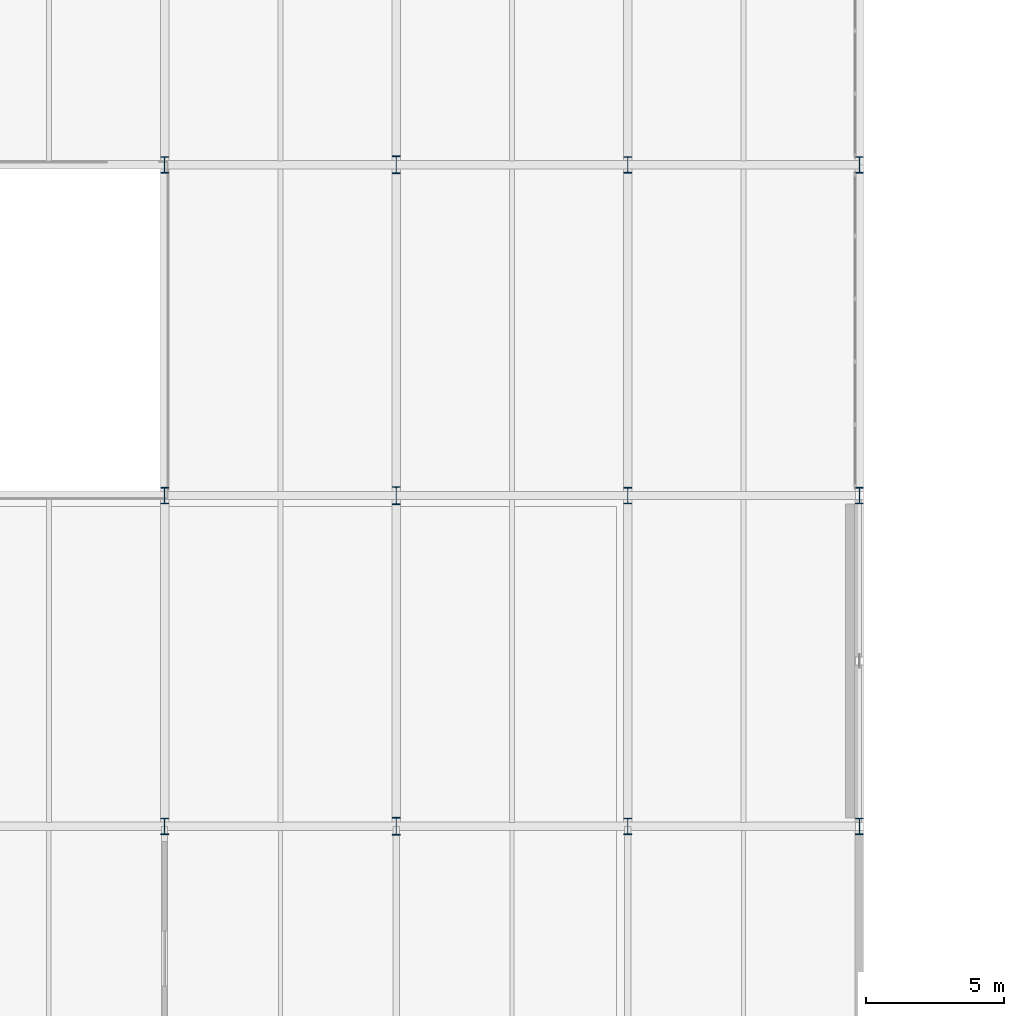
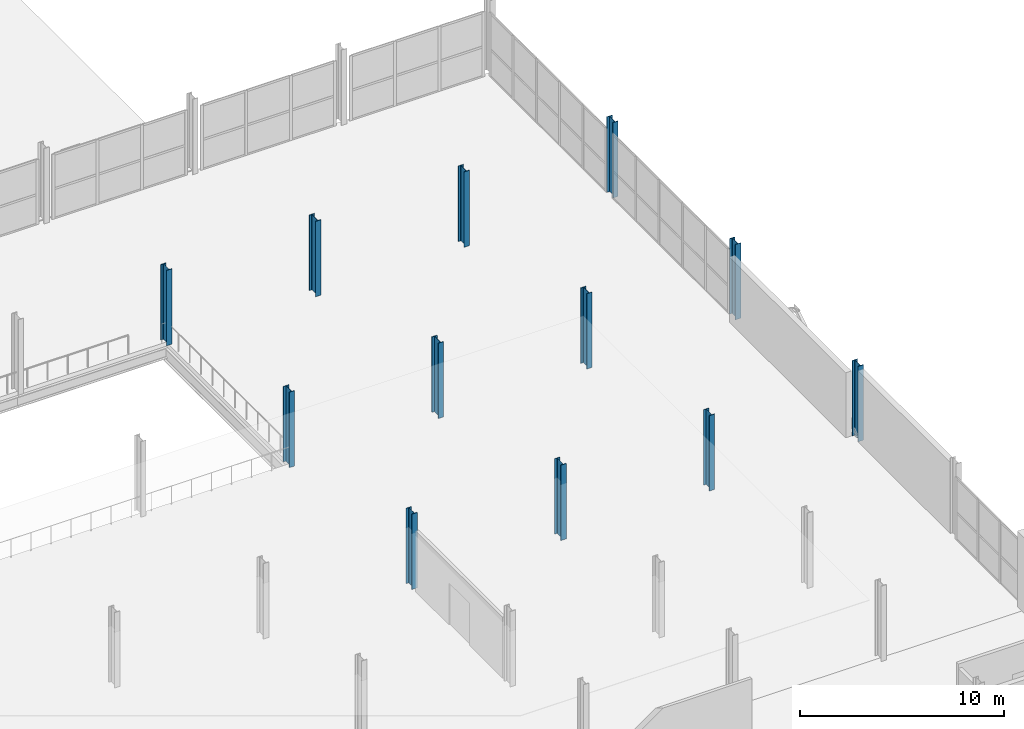
# One storey, part 6 of 130: 12 columns.
"""IFC4 building model written with IfcOpenShell, lengths in metres."""

import ifcopenshell
import ifcopenshell.guid

model = None  # the IFC model being written
_history = None  # IfcOwnerHistory: only IFC2X3 demands one
_inside = {}  # id of a spatial element -> (the spatial element, [elements in it])
_under = {}  # id of a project, library or spatial element -> (it, [spatial elements below it])
_declared = {}  # id of a project -> (the project, [libraries it declares])
_typed = {}  # id of a type object -> (the type object, [elements of that type])
_made_of = {}  # id of a material, layer set ... -> (it, [elements and type objects made of it])


def new_model(schema):
    """Start an empty IFC model of exactly this schema.

    Asked for "IFC4X3", IfcOpenShell would pick the latest addendum, in which some entities
    have other attributes; the version numbers below select the first issue.
    IFC2X3 requires an IfcOwnerHistory on every rooted entity: one is made here for all.
    """
    global model, _history
    if schema == "IFC4X3":
        model = ifcopenshell.file(schema_version=(4, 3, 0, 0))
    else:
        model = ifcopenshell.file(schema=schema)
    _inside.clear()
    _under.clear()
    _declared.clear()
    _typed.clear()
    _made_of.clear()
    _history = None
    if model.schema == "IFC2X3":
        org = make("IfcOrganization", Name="unknown")
        user = make(
            "IfcPersonAndOrganization",
            ThePerson=make("IfcPerson", FamilyName="unknown"),
            TheOrganization=org,
        )
        app = make(
            "IfcApplication",
            ApplicationDeveloper=org,
            Version="unknown",
            ApplicationFullName="unknown",
            ApplicationIdentifier="unknown",
        )
        _history = make(
            "IfcOwnerHistory",
            OwningUser=user,
            OwningApplication=app,
            ChangeAction="ADDED",
            CreationDate=0,
        )
    return model


def make(cls, **values):
    """One entity of the class cls with the attributes given. An attribute that is None is left unset."""
    return model.create_entity(
        cls, **{name: value for name, value in values.items() if value is not None}
    )


def rooted(cls, **values):
    """An entity with a GlobalId (a new one), such as an element, a storey or a relation."""
    return make(cls, GlobalId=ifcopenshell.guid.new(), OwnerHistory=_history, **values)


def si_unit(unit_type, name, prefix=None):
    """IfcSIUnit, for example si_unit("LENGTHUNIT", "METRE", prefix="MILLI")."""
    return make("IfcSIUnit", UnitType=unit_type, Prefix=prefix, Name=name)


def assignment(units):
    """IfcUnitAssignment: the units of a project."""
    return None if units is None else make("IfcUnitAssignment", Units=units)


def point(xyz):
    """IfcCartesianPoint."""
    return None if xyz is None else make("IfcCartesianPoint", Coordinates=xyz)


def direction(xyz):
    """IfcDirection."""
    return None if xyz is None else make("IfcDirection", DirectionRatios=xyz)


def frame(location, z_axis=None, x_axis=None):
    """IfcAxis2Placement3D, a coordinate frame: its origin and axes. An axis left out is left unset."""
    return make(
        "IfcAxis2Placement3D",
        Location=point(location),
        Axis=direction(z_axis),
        RefDirection=direction(x_axis),
    )


def frame_2d(location, x_axis=None):
    """IfcAxis2Placement2D, a coordinate frame in the plane: its origin and x axis."""
    return make(
        "IfcAxis2Placement2D", Location=point(location), RefDirection=direction(x_axis)
    )


def origin():
    """The frame at (0, 0, 0) with its axes left unset."""
    return frame((0.0, 0.0, 0.0))


def origin_2d():
    """The frame at (0, 0) in the plane with its x axis left unset."""
    return frame_2d((0.0, 0.0))


def place(relative_to, where):
    """IfcLocalPlacement: puts the frame where relative to a parent placement (None: the world)."""
    return make(
        "IfcLocalPlacement", PlacementRelTo=relative_to, RelativePlacement=where
    )


def context(
    kind, dimensions, precision=None, world=None, true_north=None, identifier=None
):
    """IfcGeometricRepresentationContext, for example the 3D "Model" context."""
    return make(
        "IfcGeometricRepresentationContext",
        ContextIdentifier=identifier,
        ContextType=kind,
        CoordinateSpaceDimension=dimensions,
        Precision=precision,
        WorldCoordinateSystem=world,
        TrueNorth=true_north,
    )


def subcontext(parent, identifier, kind, view, scale=None):
    """IfcGeometricRepresentationSubContext, for example "Body" below "Model"."""
    return make(
        "IfcGeometricRepresentationSubContext",
        ContextIdentifier=identifier,
        ContextType=kind,
        ParentContext=parent,
        TargetScale=scale,
        TargetView=view,
    )


def project(units=None, contexts=None):
    """IfcProject with its units and contexts."""
    return rooted(
        "IfcProject",
        Name="project",
        RepresentationContexts=contexts,
        UnitsInContext=assignment(units),
    )


def spatial(cls, under=None, at=None, **own):
    """A site, building, storey or space (cls), placed at a placement, below another one or the project."""
    s = rooted(cls, ObjectPlacement=at, **own)
    if under is not None:
        _under.setdefault(under.id(), (under, []))[1].append(s)
    return s


def profile(cls, at=None, kind="AREA", **sizes):
    """A parametric profile (cls). Its sizes go by their IFC names, for example OverallWidth=200.0."""
    return make(cls, ProfileType=kind, Position=at, **sizes)


def i_section(**sizes):
    """IfcIShapeProfileDef."""
    return profile("IfcIShapeProfileDef", **sizes)


def extrude(swept, where, along, depth):
    """IfcExtrudedAreaSolid: the profile swept, set in the frame where, extruded along a direction by depth."""
    return make(
        "IfcExtrudedAreaSolid",
        SweptArea=swept,
        Position=where,
        ExtrudedDirection=direction(along),
        Depth=depth,
    )


def shape(context_of_items, identifier, shape_type, items):
    """IfcShapeRepresentation: the items that make up one representation, for example the "Body"."""
    return make(
        "IfcShapeRepresentation",
        ContextOfItems=context_of_items,
        RepresentationIdentifier=identifier,
        RepresentationType=shape_type,
        Items=items,
    )


def material(Name=None, Category=None):
    """IfcMaterial."""
    return make("IfcMaterial", Name=Name, Category=Category)


def material_profile(
    of_material, cross_section, Name=None, Category=None, Priority=None
):
    """IfcMaterialProfile: a cross section and its material."""
    return make(
        "IfcMaterialProfile",
        Name=Name,
        Material=of_material,
        Profile=cross_section,
        Priority=Priority,
        Category=Category,
    )


def profile_set(profiles, Name=None, composite=None):
    """IfcMaterialProfileSet."""
    return make(
        "IfcMaterialProfileSet",
        Name=Name,
        MaterialProfiles=profiles,
        CompositeProfile=composite,
    )


def made_of(thing, what):
    """Note that an element or type object is made of a material, layer set ...; save() writes the relation."""
    if what is not None:
        _made_of.setdefault(what.id(), (what, []))[1].append(thing)
    return thing


def type_object(cls, material=None, **own):
    """A type object (cls), such as IfcWallType, which elements share."""
    return made_of(rooted(cls, **own), material)


def element(
    cls,
    number,
    at=None,
    inside=None,
    cuts=None,
    type_object=None,
    material=None,
    context=None,
    identifier="Body",
    shape_type=None,
    held_by="IfcProductDefinitionShape",
    body=None,
    shapes=None,
    **own,
):
    """One element of the class cls, such as IfcWall. Its Tag is "e" and its number.

    at: its placement. inside: the storey or other place that contains it. cuts: it is an
    opening in that element (IfcRelVoidsElement). A single representation is given by context,
    identifier, shape_type and body (its items); several are given by shapes. held_by: the class
    of the entity that holds the representations. save() writes the other relations.
    """
    e = rooted(cls, Tag="e%d" % number, ObjectPlacement=at, **own)
    if body is not None:
        shapes = [shape(context, identifier, shape_type, body)]
    if shapes is not None:
        e.Representation = make(held_by, Representations=shapes)
    if inside is not None:
        _inside.setdefault(inside.id(), (inside, []))[1].append(e)
    if cuts is not None:
        rooted(
            "IfcRelVoidsElement", RelatingBuildingElement=cuts, RelatedOpeningElement=e
        )
    if type_object is not None:
        _typed.setdefault(type_object.id(), (type_object, []))[1].append(e)
    return made_of(e, material)


def aggregate(whole, parts):
    """IfcRelAggregates: a whole, such as a stair, and the parts it consists of."""
    return rooted("IfcRelAggregates", RelatingObject=whole, RelatedObjects=parts)


def save(model, path):
    """Write the relations noted so far, then the file.

    IfcRelAggregates (storeys below a building ...), IfcRelContainedInSpatialStructure (elements
    in a storey), IfcRelDefinesByType, IfcRelAssociatesMaterial and IfcRelDeclares: one each for
    every whole, place, type object, material and project.
    """
    for whole, parts in _under.values():
        aggregate(whole, parts)
    for where, things in _inside.values():
        rooted(
            "IfcRelContainedInSpatialStructure",
            RelatedElements=things,
            RelatingStructure=where,
        )
    for kind, things in _typed.values():
        rooted("IfcRelDefinesByType", RelatedObjects=things, RelatingType=kind)
    for what, things in _made_of.values():
        rooted("IfcRelAssociatesMaterial", RelatedObjects=things, RelatingMaterial=what)
    for by, libraries in _declared.values():
        rooted("IfcRelDeclares", RelatingContext=by, RelatedDefinitions=libraries)
    model.write(path)


model = new_model("IFC4")

# Units and contexts
model_context = context("Model", 3, precision=1e-05, world=origin(), true_north=direction((0.0, 1.0)))
body_context = subcontext(model_context, "Body", "Model", "MODEL_VIEW")
ifc_project = project(units=[si_unit("LENGTHUNIT", "METRE"), si_unit("AREAUNIT", "SQUARE_METRE"), si_unit("VOLUMEUNIT", "CUBIC_METRE"), si_unit("PLANEANGLEUNIT", "RADIAN"), si_unit("MASSUNIT", "GRAM", prefix="KILO")], contexts=[model_context])

# Site, building, storey
site_placement = place(None, origin())
site = spatial("IfcSite", under=ifc_project, at=site_placement, CompositionType="ELEMENT")
building_placement = place(site_placement, origin())
building = spatial("IfcBuilding", under=site, at=building_placement, Name="Veltarok Museum of Natural Sciences", CompositionType="ELEMENT")
storey_placement = place(building_placement, frame((0.0, 0.0, 12.89990234375)))
storey = spatial("IfcBuildingStorey", under=building, at=storey_placement, Name="L02", CompositionType="ELEMENT", Elevation=12.89990234375)

# Columns
ifc_material = material(Name="Steel S355J2", Category="steel")
ifc_material_profile_1 = material_profile(ifc_material, i_section(OverallWidth=0.300048828125, OverallDepth=0.60009765625, WebThickness=0.015380859375, FlangeThickness=0.030029296875, FilletRadius=0.027099609375, at=origin_2d()), Name="HEB 600")
ifc_profile_set_1 = profile_set([ifc_material_profile_1], Name="Steel S355J2")
column_type_1 = type_object("IfcColumnType", Name="Gallery Frame Column HEB 600", PredefinedType="COLUMN", material=ifc_profile_set_1)
for number, where, z_axis, x_axis, name in (
    (1, (73.60009765625, 36.0, 0.0), (0.0, 0.0, 1.0), (1.0, 0.0, 0.0), "Column COL-S04 L02 9/E"),
    (2, (73.60009765625, 48.0, 0.0), (0.0, 0.0, 1.0), (1.0, 0.0, 0.0), "Column COL-S04 L02 9/F"),
    (3, (73.60009765625, 60.0, 0.0), (0.0, 0.0, 1.0), (1.0, 0.0, 0.0), "Column COL-S04 L02 9/G"),
    (4, (90.39990234375, 36.0, 0.0), (0.0, 0.0, 1.0), (1.0, 0.0, 0.0), "Column COL-S04 L02 11/E"),
    (5, (90.39990234375, 48.0, 0.0), (0.0, 0.0, 1.0), (1.0, 0.0, 0.0), "Column COL-S04 L02 11/F"),
    (6, (90.39990234375, 60.0, 0.0), (0.0, 0.0, 1.0), (1.0, 0.0, 0.0), "Column COL-S04 L02 11/G"),
):
    element("IfcColumn", number, at=place(storey_placement, frame(where, z_axis=z_axis, x_axis=x_axis)), inside=storey, type_object=column_type_1, Name=name, PredefinedType="COLUMN", context=body_context, shape_type="SweptSolid", body=[
        extrude(i_section(OverallWidth=0.300048828125, OverallDepth=0.60009765625, WebThickness=0.015380859375, FlangeThickness=0.030029296875, FilletRadius=0.027099609375, at=origin_2d()), origin(), (0.0, 0.0, 1.0), 4.5),
    ])
ifc_material_profile_2 = material_profile(ifc_material, i_section(OverallWidth=0.300048828125, OverallDepth=0.64990234375, WebThickness=0.01611328125, FlangeThickness=0.031005859375, FilletRadius=0.027099609375, at=origin_2d()), Name="HEB 650")
ifc_profile_set_2 = profile_set([ifc_material_profile_2], Name="Steel S355J2")
column_type_2 = type_object("IfcColumnType", Name="Heavy Spine Column HEB 650", PredefinedType="COLUMN", material=ifc_profile_set_2)
for number, where, z_axis, x_axis, name in (
    (7, (82.0, 36.0, 0.0), (0.0, 0.0, 1.0), (1.0, 0.0, 0.0), "Column COL-S09 L02 10/E"),
    (8, (82.0, 48.0, 0.0), (0.0, 0.0, 1.0), (1.0, 0.0, 0.0), "Column COL-S09 L02 10/F"),
    (9, (82.0, 60.0, 0.0), (0.0, 0.0, 1.0), (1.0, 0.0, 0.0), "Column COL-S09 L02 10/G"),
):
    element("IfcColumn", number, at=place(storey_placement, frame(where, z_axis=z_axis, x_axis=x_axis)), inside=storey, type_object=column_type_2, Name=name, PredefinedType="COLUMN", context=body_context, shape_type="SweptSolid", body=[
        extrude(i_section(OverallWidth=0.300048828125, OverallDepth=0.64990234375, WebThickness=0.01611328125, FlangeThickness=0.031005859375, FilletRadius=0.027099609375, at=origin_2d()), origin(), (0.0, 0.0, 1.0), 4.5),
    ])
ifc_material_profile_3 = material_profile(ifc_material, i_section(OverallWidth=0.300048828125, OverallDepth=0.60009765625, WebThickness=0.015380859375, FlangeThickness=0.030029296875, FilletRadius=0.027099609375, at=origin_2d()), Name="HEB 600")
ifc_profile_set_3 = profile_set([ifc_material_profile_3], Name="Steel S355J2")
column_type_3 = type_object("IfcColumnType", Name="Perimeter Passage Column HEB 600", PredefinedType="COLUMN", material=ifc_profile_set_3)
for number, where, z_axis, x_axis, name in (
    (10, (98.800048828125, 36.0, 0.0), (0.0, 0.0, 1.0), (1.0, 0.0, 0.0), "Column COL-EXT02 L02 12/E"),
    (11, (98.800048828125, 48.0, 0.0), (0.0, 0.0, 1.0), (1.0, 0.0, 0.0), "Column COL-EXT02 L02 12/F"),
    (12, (98.800048828125, 60.0, 0.0), (0.0, 0.0, 1.0), (1.0, 0.0, 0.0), "Column COL-EXT02 L02 12/G"),
):
    element("IfcColumn", number, at=place(storey_placement, frame(where, z_axis=z_axis, x_axis=x_axis)), inside=storey, type_object=column_type_3, Name=name, PredefinedType="COLUMN", context=body_context, shape_type="SweptSolid", body=[
        extrude(i_section(OverallWidth=0.300048828125, OverallDepth=0.60009765625, WebThickness=0.015380859375, FlangeThickness=0.030029296875, FilletRadius=0.027099609375, at=origin_2d()), origin(), (0.0, 0.0, 1.0), 4.5),
    ])

save(model, "model.ifc")
